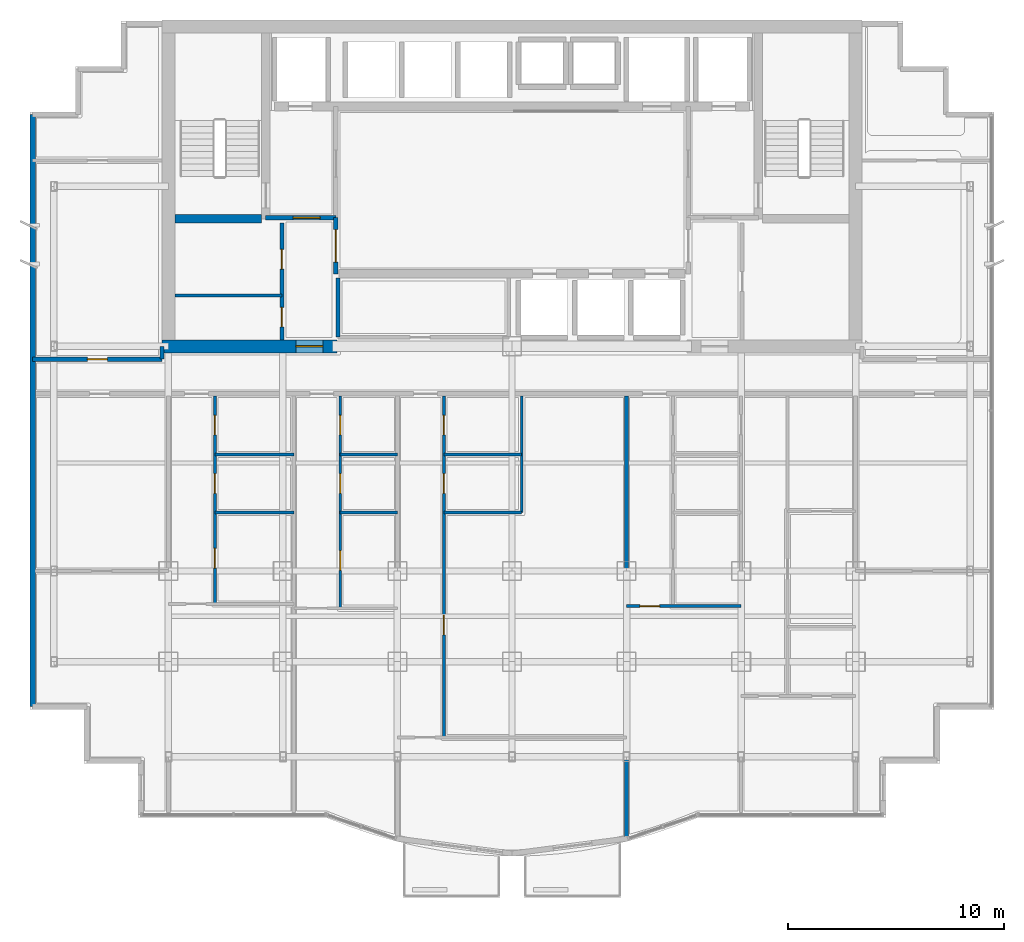
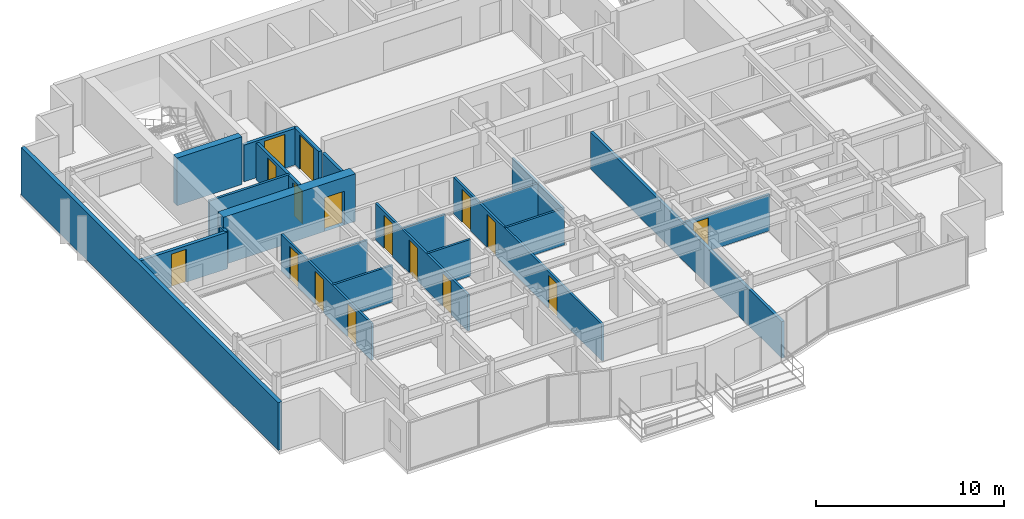
# One storey, part 8 of 13: 22 walls, 16 doors, 16 openings.
"""IFC4 building model written with IfcOpenShell, lengths in metres."""

from ifc_helpers import new_model, si_unit, direction, frame, frame_2d, origin, place, context, subcontext, project, spatial, rectangle, extrude, material, layer, layer_set, type_object, element, fill, save


model = new_model("IFC4")

# Units and contexts
model_context = context("Model", 3, precision=1e-05, world=origin(), true_north=direction((0.0, 1.0)))
body_context = subcontext(model_context, "Body", "Model", "MODEL_VIEW")
ifc_project = project(units=[si_unit("LENGTHUNIT", "METRE"), si_unit("AREAUNIT", "SQUARE_METRE"), si_unit("VOLUMEUNIT", "CUBIC_METRE"), si_unit("PLANEANGLEUNIT", "RADIAN"), si_unit("MASSUNIT", "GRAM", prefix="KILO")], contexts=[model_context])

# Site, building, storey
site_placement = place(None, origin())
site = spatial("IfcSite", under=ifc_project, at=site_placement, CompositionType="ELEMENT")
building_placement = place(site_placement, origin())
building = spatial("IfcBuilding", under=site, at=building_placement, Name="Qianlan Lanfeng Residences", CompositionType="ELEMENT")
storey_placement = place(building_placement, frame((0.0, 0.0, 142.5)))
storey = spatial("IfcBuildingStorey", under=building, at=storey_placement, Name="L38", CompositionType="ELEMENT", Elevation=142.5)

# Wall
ifc_material_1 = material(Name="Concrete C56", Category="concrete")
ifc_layer_1 = layer(ifc_material_1, 0.39990234375)
ifc_layer_set_1 = layer_set([ifc_layer_1], Name="Concrete C56")
wall_type_1 = type_object("IfcWallType", Name="CW-RC-400", PredefinedType="SHEAR", material=ifc_layer_set_1)
wall_1_placement = place(storey_placement, frame((10.89990234375, 31.10009765625, 0.0), z_axis=(0.0, 0.0, 1.0), x_axis=(1.0, 0.0, 0.0)))
element("IfcWall", 1, at=wall_1_placement, inside=storey, type_object=wall_type_1, Name="L38 Core Shear Wall ST1S", PredefinedType="SHEAR", context=body_context, shape_type="SweptSolid", body=[
    extrude(rectangle(XDim=4.0, YDim=0.39990234375, at=frame_2d((2.0, 0.0))), origin(), (0.0, 0.0, 1.0), 3.10009765625),
])

# Wall, opening, door
ifc_layer_2 = layer(ifc_material_1, 0.60009765625)
ifc_layer_set_2 = layer_set([ifc_layer_2], Name="Concrete C56")
wall_type_2 = type_object("IfcWallType", Name="CW-RC-600", PredefinedType="SHEAR", material=ifc_layer_set_2)
wall_2_placement = place(storey_placement, frame((10.300048828125, 25.199951171875, 0.0), z_axis=(0.0, 0.0, 1.0), x_axis=(1.0, 0.0, 0.0)))
wall_2 = element("IfcWall", 2, at=wall_2_placement, inside=storey, type_object=wall_type_2, Name="L38 Core Shear Wall SW", PredefinedType="SHEAR", context=body_context, shape_type="SweptSolid", body=[
    extrude(rectangle(XDim=8.099853515625, YDim=0.60009765625, at=frame_2d((4.0498046875, 0.0))), origin(), (0.0, 0.0, 1.0), 3.10009765625),
])
opening_1_placement = place(wall_2_placement, frame((6.199951171875, 0.0, 0.0)))
opening_1 = element("IfcOpeningElement", 3, at=opening_1_placement, cuts=wall_2, Name="Opening L38-D01", PredefinedType="OPENING", context=body_context, shape_type="SweptSolid", body=[
    extrude(rectangle(XDim=1.25, YDim=2.199951171875, at=frame_2d((0.625, 1.10009765625))), frame((0.0, 0.31005859375, 0.0), z_axis=(0.0, -1.0, 0.0), x_axis=(1.0, 0.0, 0.0)), (0.0, 0.0, 1.0), 0.6201171875),
])
ifc_material_2 = material(Name="Painted Galvanised Steel Fire Door", Category="steel")
door_type_1 = type_object("IfcDoorType", Name="DT-FFL", OperationType="NOTDEFINED", PredefinedType="DOOR", material=ifc_material_2)
door_1_placement = place(opening_1_placement, origin())
door_1 = element("IfcDoor", 4, at=door_1_placement, inside=storey, type_object=door_type_1, Name="L38 West Core Lobby Smoke Door L38-D01 (DT-FFL)", OperationType="SINGLE_SWING_RIGHT", OverallHeight=2.199951171875, OverallWidth=1.25, PredefinedType="DOOR", context=body_context, shape_type="SweptSolid", body=[
    extrude(rectangle(XDim=1.25, YDim=2.199951171875, at=frame_2d((0.625, 1.10009765625))), frame((0.0, 0.02490234375, 0.0), z_axis=(0.0, -1.0, 0.0), x_axis=(1.0, 0.0, 0.0)), (0.0, 0.0, 1.0), 0.050048828125),
])
fill(opening_1, door_1)

# Wall
ifc_material_3 = material(Name="Concrete C42", Category="concrete")
ifc_layer_3 = layer(ifc_material_3, 0.239990234375)
ifc_layer_set_3 = layer_set([ifc_layer_3], Name="Concrete C42")
wall_type_3 = type_object("IfcWallType", Name="EW-240", PredefinedType="SOLIDWALL", material=ifc_layer_set_3)
wall_3_placement = place(storey_placement, frame((4.320068359375, 35.929931640625, 0.0), z_axis=(0.0, 0.0, 1.0), x_axis=(0.0, -1.0, 0.0)))
element("IfcWall", 5, at=wall_3_placement, inside=storey, type_object=wall_type_3, Name="L38 Exterior Facade Spandrel Wall 21", PredefinedType="SOLIDWALL", context=body_context, shape_type="SweptSolid", body=[
    extrude(rectangle(XDim=27.409912109375, YDim=0.239990234375, at=frame_2d((13.705078125, 0.0))), origin(), (0.0, 0.0, 1.0), 3.10009765625),
])

# Wall, openings, doors
ifc_material_4 = material(Name="Moisture-Resistant Gypsum Partition 135 mm")
ifc_layer_4 = layer(ifc_material_4, 0.135009765625)
ifc_layer_set_4 = layer_set([ifc_layer_4], Name="Moisture-Resistant Gypsum Partition 135 mm")
wall_type_4 = type_object("IfcWallType", Name="PW-135", PredefinedType="PARTITIONING", material=ifc_layer_set_4)
wall_4_placement = place(storey_placement, frame((12.75, 13.27490234375, 0.0), z_axis=(0.0, 0.0, 1.0), x_axis=(0.0, 1.0, 0.0)))
wall_4 = element("IfcWall", 6, at=wall_4_placement, inside=storey, type_object=wall_type_4, Name="L38 U01 Entry Hall Spine", PredefinedType="PARTITIONING", context=body_context, shape_type="SweptSolid", body=[
    extrude(rectangle(XDim=9.625, YDim=0.135009765625, at=frame_2d((4.8125, 0.0))), origin(), (0.0, 0.0, 1.0), 2.3798828125),
])
opening_2_placement = place(wall_4_placement, frame((1.653076171875, 0.0, 0.0)))
opening_2 = element("IfcOpeningElement", 7, at=opening_2_placement, cuts=wall_4, Name="Opening L38-D17", PredefinedType="OPENING", context=body_context, shape_type="SweptSolid", body=[
    extrude(rectangle(XDim=0.919921875, YDim=2.14990234375, at=frame_2d((0.4599609375, 1.074951171875))), frame((0.0, 0.07763671875, 0.0), z_axis=(0.0, -1.0, 0.0), x_axis=(1.0, 0.0, 0.0)), (0.0, 0.0, 1.0), 0.155029296875),
])
opening_3_placement = place(wall_4_placement, frame((5.114990234375, 0.0, 0.0)))
opening_3 = element("IfcOpeningElement", 8, at=opening_3_placement, cuts=wall_4, Name="Opening L38-D18", PredefinedType="OPENING", context=body_context, shape_type="SweptSolid", body=[
    extrude(rectangle(XDim=0.919921875, YDim=2.14990234375, at=frame_2d((0.4599609375, 1.074951171875))), frame((0.0, 0.07763671875, 0.0), z_axis=(0.0, -1.0, 0.0), x_axis=(1.0, 0.0, 0.0)), (0.0, 0.0, 1.0), 0.155029296875),
])
opening_4_placement = place(wall_4_placement, frame((7.824951171875, 0.0, 0.0)))
opening_4 = element("IfcOpeningElement", 9, at=opening_4_placement, cuts=wall_4, Name="Opening L38-D19", PredefinedType="OPENING", context=body_context, shape_type="SweptSolid", body=[
    extrude(rectangle(XDim=0.89990234375, YDim=2.14990234375, at=frame_2d((0.449951171875, 1.074951171875))), frame((0.0, 0.07763671875, 0.0), z_axis=(0.0, -1.0, 0.0), x_axis=(1.0, 0.0, 0.0)), (0.0, 0.0, 1.0), 0.155029296875),
])
ifc_material_5 = material(Name="Glazed Timber Kitchen/Study Door", Category="wood")
door_type_2 = type_object("IfcDoorType", Name="DT-INT", OperationType="NOTDEFINED", PredefinedType="DOOR", material=ifc_material_5)
door_2_placement = place(opening_2_placement, origin())
door_2 = element("IfcDoor", 10, at=door_2_placement, inside=storey, type_object=door_type_2, Name="L38 U01 Study Door L38-D17 (DT-INT)", OperationType="SINGLE_SWING_RIGHT", OverallHeight=2.14990234375, OverallWidth=0.919921875, PredefinedType="DOOR", context=body_context, shape_type="SweptSolid", body=[
    extrude(rectangle(XDim=0.919921875, YDim=2.14990234375, at=frame_2d((0.4599609375, 1.074951171875))), frame((0.0, 0.02490234375, 0.0), z_axis=(0.0, -1.0, 0.0), x_axis=(1.0, 0.0, 0.0)), (0.0, 0.0, 1.0), 0.050048828125),
])
fill(opening_2, door_2)
door_3_placement = place(opening_3_placement, origin())
door_3 = element("IfcDoor", 11, at=door_3_placement, inside=storey, type_object=door_type_2, Name="L38 U01 Kitchen Door L38-D18 (DT-INT)", OperationType="SINGLE_SWING_LEFT", OverallHeight=2.14990234375, OverallWidth=0.919921875, PredefinedType="DOOR", context=body_context, shape_type="SweptSolid", body=[
    extrude(rectangle(XDim=0.919921875, YDim=2.14990234375, at=frame_2d((0.4599609375, 1.074951171875))), frame((0.0, 0.02490234375, 0.0), z_axis=(0.0, -1.0, 0.0), x_axis=(1.0, 0.0, 0.0)), (0.0, 0.0, 1.0), 0.050048828125),
])
fill(opening_3, door_3)
ifc_material_6 = material(Name="Moisture-Resistant Timber Leaf", Category="wood")
door_type_3 = type_object("IfcDoorType", Name="DT-WC", OperationType="NOTDEFINED", PredefinedType="DOOR", material=ifc_material_6)
door_4_placement = place(opening_4_placement, origin())
door_4 = element("IfcDoor", 12, at=door_4_placement, inside=storey, type_object=door_type_3, Name="L38 U01 Bathroom Door L38-D19 (DT-WC)", OperationType="SINGLE_SWING_RIGHT", OverallHeight=2.14990234375, OverallWidth=0.89990234375, PredefinedType="DOOR", context=body_context, shape_type="SweptSolid", body=[
    extrude(rectangle(XDim=0.89990234375, YDim=2.14990234375, at=frame_2d((0.449951171875, 1.074951171875))), frame((0.0, 0.02490234375, 0.0), z_axis=(0.0, -1.0, 0.0), x_axis=(1.0, 0.0, 0.0)), (0.0, 0.0, 1.0), 0.050048828125),
])
fill(opening_4, door_4)

# Walls
for number, where, z_axis, x_axis, name in (
    (13, (12.75, 17.5, 0.0), (0.0, 0.0, 1.0), (1.0, 0.0, 0.0), "L38 U01 Kitchen South Wall"),
    (14, (12.75, 20.199951171875, 0.0), (0.0, 0.0, 1.0), (1.0, 0.0, 0.0), "L38 U01 Bathroom South Wall"),
):
    element("IfcWall", number, at=place(storey_placement, frame(where, z_axis=z_axis, x_axis=x_axis)), inside=storey, type_object=wall_type_4, Name=name, PredefinedType="PARTITIONING", context=body_context, shape_type="SweptSolid", body=[
        extrude(rectangle(XDim=3.64990234375, YDim=0.135009765625, at=frame_2d((1.824951171875, 0.0))), origin(), (0.0, 0.0, 1.0), 2.3798828125),
    ])

# Wall, openings, doors
wall_5_placement = place(storey_placement, frame((18.550048828125, 13.075927734375, 0.0), z_axis=(0.0, 0.0, 1.0), x_axis=(0.0, 1.0, 0.0)))
wall_5 = element("IfcWall", 15, at=wall_5_placement, inside=storey, type_object=wall_type_4, Name="L38 U02 Entry Hall Spine", PredefinedType="PARTITIONING", context=body_context, shape_type="SweptSolid", body=[
    extrude(rectangle(XDim=9.823974609375, YDim=0.135009765625, at=frame_2d((4.912109375, 0.0))), origin(), (0.0, 0.0, 1.0), 2.3798828125),
])
opening_5_placement = place(wall_5_placement, frame((1.751953125, 0.0, 0.0)))
opening_5 = element("IfcOpeningElement", 16, at=opening_5_placement, cuts=wall_5, Name="Opening L38-D22", PredefinedType="OPENING", context=body_context, shape_type="SweptSolid", body=[
    extrude(rectangle(XDim=0.919921875, YDim=2.14990234375, at=frame_2d((0.4599609375, 1.074951171875))), frame((0.0, 0.07763671875, 0.0), z_axis=(0.0, -1.0, 0.0), x_axis=(1.0, 0.0, 0.0)), (0.0, 0.0, 1.0), 0.155029296875),
])
opening_6_placement = place(wall_5_placement, frame((5.31396484375, 0.0, 0.0)))
opening_6 = element("IfcOpeningElement", 17, at=opening_6_placement, cuts=wall_5, Name="Opening L38-D23", PredefinedType="OPENING", context=body_context, shape_type="SweptSolid", body=[
    extrude(rectangle(XDim=0.919921875, YDim=2.14990234375, at=frame_2d((0.4599609375, 1.074951171875))), frame((0.0, 0.07763671875, 0.0), z_axis=(0.0, -1.0, 0.0), x_axis=(1.0, 0.0, 0.0)), (0.0, 0.0, 1.0), 0.155029296875),
])
opening_7_placement = place(wall_5_placement, frame((8.02392578125, 0.0, 0.0)))
opening_7 = element("IfcOpeningElement", 18, at=opening_7_placement, cuts=wall_5, Name="Opening L38-D24", PredefinedType="OPENING", context=body_context, shape_type="SweptSolid", body=[
    extrude(rectangle(XDim=0.89990234375, YDim=2.14990234375, at=frame_2d((0.449951171875, 1.074951171875))), frame((0.0, 0.07763671875, 0.0), z_axis=(0.0, -1.0, 0.0), x_axis=(1.0, 0.0, 0.0)), (0.0, 0.0, 1.0), 0.155029296875),
])
door_5_placement = place(opening_5_placement, origin())
door_5 = element("IfcDoor", 19, at=door_5_placement, inside=storey, type_object=door_type_2, Name="L38 U02 Study Door L38-D22 (DT-INT)", OperationType="SINGLE_SWING_LEFT", OverallHeight=2.14990234375, OverallWidth=0.919921875, PredefinedType="DOOR", context=body_context, shape_type="SweptSolid", body=[
    extrude(rectangle(XDim=0.919921875, YDim=2.14990234375, at=frame_2d((0.4599609375, 1.074951171875))), frame((0.0, 0.02490234375, 0.0), z_axis=(0.0, -1.0, 0.0), x_axis=(1.0, 0.0, 0.0)), (0.0, 0.0, 1.0), 0.050048828125),
])
fill(opening_5, door_5)
door_6_placement = place(opening_6_placement, origin())
door_6 = element("IfcDoor", 20, at=door_6_placement, inside=storey, type_object=door_type_2, Name="L38 U02 Kitchen Door L38-D23 (DT-INT)", OperationType="SINGLE_SWING_RIGHT", OverallHeight=2.14990234375, OverallWidth=0.919921875, PredefinedType="DOOR", context=body_context, shape_type="SweptSolid", body=[
    extrude(rectangle(XDim=0.919921875, YDim=2.14990234375, at=frame_2d((0.4599609375, 1.074951171875))), frame((0.0, 0.02490234375, 0.0), z_axis=(0.0, -1.0, 0.0), x_axis=(1.0, 0.0, 0.0)), (0.0, 0.0, 1.0), 0.050048828125),
])
fill(opening_6, door_6)
door_7_placement = place(opening_7_placement, origin())
door_7 = element("IfcDoor", 21, at=door_7_placement, inside=storey, type_object=door_type_3, Name="L38 U02 Bathroom Door L38-D24 (DT-WC)", OperationType="SINGLE_SWING_LEFT", OverallHeight=2.14990234375, OverallWidth=0.89990234375, PredefinedType="DOOR", context=body_context, shape_type="SweptSolid", body=[
    extrude(rectangle(XDim=0.89990234375, YDim=2.14990234375, at=frame_2d((0.449951171875, 1.074951171875))), frame((0.0, 0.02490234375, 0.0), z_axis=(0.0, -1.0, 0.0), x_axis=(1.0, 0.0, 0.0)), (0.0, 0.0, 1.0), 0.050048828125),
])
fill(opening_7, door_7)

# Walls
for number, where, z_axis, x_axis, name in (
    (22, (18.550048828125, 17.5, 0.0), (0.0, 0.0, 1.0), (1.0, 0.0, 0.0), "L38 U02 Kitchen South Wall"),
    (23, (18.550048828125, 20.199951171875, 0.0), (0.0, 0.0, 1.0), (1.0, 0.0, 0.0), "L38 U02 Bathroom South Wall"),
):
    element("IfcWall", number, at=place(storey_placement, frame(where, z_axis=z_axis, x_axis=x_axis)), inside=storey, type_object=wall_type_4, Name=name, PredefinedType="PARTITIONING", context=body_context, shape_type="SweptSolid", body=[
        extrude(rectangle(XDim=2.64990234375, YDim=0.135009765625, at=frame_2d((1.324951171875, 0.0))), origin(), (0.0, 0.0, 1.0), 2.3798828125),
    ])

# Wall, openings, doors
wall_6_placement = place(storey_placement, frame((23.35009765625, 7.10302734375, 0.0), z_axis=(0.0, 0.0, 1.0), x_axis=(0.0, 1.0, 0.0)))
wall_6 = element("IfcWall", 24, at=wall_6_placement, inside=storey, type_object=wall_type_4, Name="L38 U03 Entry Hall Spine", PredefinedType="PARTITIONING", context=body_context, shape_type="SweptSolid", body=[
    extrude(rectangle(XDim=15.796875, YDim=0.135009765625, at=frame_2d((7.8984375, 0.0))), origin(), (0.0, 0.0, 1.0), 2.3798828125),
])
opening_8_placement = place(wall_6_placement, frame((4.739013671875, 0.0, 0.0)))
opening_8 = element("IfcOpeningElement", 25, at=opening_8_placement, cuts=wall_6, Name="Opening L38-D27", PredefinedType="OPENING", context=body_context, shape_type="SweptSolid", body=[
    extrude(rectangle(XDim=0.919921875, YDim=2.14990234375, at=frame_2d((0.4599609375, 1.074951171875))), frame((0.0, 0.07763671875, 0.0), z_axis=(0.0, -1.0, 0.0), x_axis=(1.0, 0.0, 0.0)), (0.0, 0.0, 1.0), 0.155029296875),
])
opening_9_placement = place(wall_6_placement, frame((11.287109375, 0.0, 0.0)))
opening_9 = element("IfcOpeningElement", 26, at=opening_9_placement, cuts=wall_6, Name="Opening L38-D28", PredefinedType="OPENING", context=body_context, shape_type="SweptSolid", body=[
    extrude(rectangle(XDim=0.919921875, YDim=2.14990234375, at=frame_2d((0.4599609375, 1.074951171875))), frame((0.0, 0.07763671875, 0.0), z_axis=(0.0, -1.0, 0.0), x_axis=(1.0, 0.0, 0.0)), (0.0, 0.0, 1.0), 0.155029296875),
])
opening_10_placement = place(wall_6_placement, frame((13.9970703125, 0.0, 0.0)))
opening_10 = element("IfcOpeningElement", 27, at=opening_10_placement, cuts=wall_6, Name="Opening L38-D29", PredefinedType="OPENING", context=body_context, shape_type="SweptSolid", body=[
    extrude(rectangle(XDim=0.89990234375, YDim=2.14990234375, at=frame_2d((0.449951171875, 1.074951171875))), frame((0.0, 0.07763671875, 0.0), z_axis=(0.0, -1.0, 0.0), x_axis=(1.0, 0.0, 0.0)), (0.0, 0.0, 1.0), 0.155029296875),
])
door_8_placement = place(opening_8_placement, origin())
door_8 = element("IfcDoor", 28, at=door_8_placement, inside=storey, type_object=door_type_2, Name="L38 U03 Study Door L38-D27 (DT-INT)", OperationType="SINGLE_SWING_RIGHT", OverallHeight=2.14990234375, OverallWidth=0.919921875, PredefinedType="DOOR", context=body_context, shape_type="SweptSolid", body=[
    extrude(rectangle(XDim=0.919921875, YDim=2.14990234375, at=frame_2d((0.4599609375, 1.074951171875))), frame((0.0, 0.02490234375, 0.0), z_axis=(0.0, -1.0, 0.0), x_axis=(1.0, 0.0, 0.0)), (0.0, 0.0, 1.0), 0.050048828125),
])
fill(opening_8, door_8)
door_9_placement = place(opening_9_placement, origin())
door_9 = element("IfcDoor", 29, at=door_9_placement, inside=storey, type_object=door_type_2, Name="L38 U03 Kitchen Door L38-D28 (DT-INT)", OperationType="SINGLE_SWING_LEFT", OverallHeight=2.14990234375, OverallWidth=0.919921875, PredefinedType="DOOR", context=body_context, shape_type="SweptSolid", body=[
    extrude(rectangle(XDim=0.919921875, YDim=2.14990234375, at=frame_2d((0.4599609375, 1.074951171875))), frame((0.0, 0.02490234375, 0.0), z_axis=(0.0, -1.0, 0.0), x_axis=(1.0, 0.0, 0.0)), (0.0, 0.0, 1.0), 0.050048828125),
])
fill(opening_9, door_9)
door_10_placement = place(opening_10_placement, origin())
door_10 = element("IfcDoor", 30, at=door_10_placement, inside=storey, type_object=door_type_3, Name="L38 U03 Bathroom Door L38-D29 (DT-WC)", OperationType="SINGLE_SWING_RIGHT", OverallHeight=2.14990234375, OverallWidth=0.89990234375, PredefinedType="DOOR", context=body_context, shape_type="SweptSolid", body=[
    extrude(rectangle(XDim=0.89990234375, YDim=2.14990234375, at=frame_2d((0.449951171875, 1.074951171875))), frame((0.0, 0.02490234375, 0.0), z_axis=(0.0, -1.0, 0.0), x_axis=(1.0, 0.0, 0.0)), (0.0, 0.0, 1.0), 0.050048828125),
])
fill(opening_10, door_10)

# Walls
wall_7_placement = place(storey_placement, frame((23.35009765625, 17.5, 0.0), z_axis=(0.0, 0.0, 1.0), x_axis=(1.0, 0.0, 0.0)))
element("IfcWall", 31, at=wall_7_placement, inside=storey, type_object=wall_type_4, Name="L38 U03 Kitchen South Wall", PredefinedType="PARTITIONING", context=body_context, shape_type="SweptSolid", body=[
    extrude(rectangle(XDim=3.599853515625, YDim=0.135009765625, at=frame_2d((1.7998046875, 0.0))), origin(), (0.0, 0.0, 1.0), 2.3798828125),
])
wall_8_placement = place(storey_placement, frame((26.949951171875, 17.5, 0.0), z_axis=(0.0, 0.0, 1.0), x_axis=(0.0, 1.0, 0.0)))
element("IfcWall", 32, at=wall_8_placement, inside=storey, type_object=wall_type_4, Name="L38 U03 Dining East Wall", PredefinedType="PARTITIONING", context=body_context, shape_type="SweptSolid", body=[
    extrude(rectangle(XDim=5.39990234375, YDim=0.135009765625, at=frame_2d((2.699951171875, 0.0))), origin(), (0.0, 0.0, 1.0), 2.3798828125),
])
wall_9_placement = place(storey_placement, frame((23.35009765625, 20.199951171875, 0.0), z_axis=(0.0, 0.0, 1.0), x_axis=(1.0, 0.0, 0.0)))
element("IfcWall", 33, at=wall_9_placement, inside=storey, type_object=wall_type_4, Name="L38 U03 Bathroom South Wall", PredefinedType="PARTITIONING", context=body_context, shape_type="SweptSolid", body=[
    extrude(rectangle(XDim=3.599853515625, YDim=0.135009765625, at=frame_2d((1.7998046875, 0.0))), origin(), (0.0, 0.0, 1.0), 2.3798828125),
])

# Wall, opening, door
wall_10_placement = place(storey_placement, frame((31.800048828125, 13.174072265625, 0.0), z_axis=(0.0, 0.0, 1.0), x_axis=(1.0, 0.0, 0.0)))
wall_10 = element("IfcWall", 34, at=wall_10_placement, inside=storey, type_object=wall_type_4, Name="L38 U04 Living Divider", PredefinedType="PARTITIONING", context=body_context, shape_type="SweptSolid", body=[
    extrude(rectangle(XDim=5.300048828125, YDim=0.135009765625, at=frame_2d((2.64990234375, 0.0))), origin(), (0.0, 0.0, 1.0), 2.3798828125),
])
opening_11_placement = place(wall_10_placement, frame((0.614990234375, 0.0, 0.0)))
opening_11 = element("IfcOpeningElement", 35, at=opening_11_placement, cuts=wall_10, Name="Opening L38-D32", PredefinedType="OPENING", context=body_context, shape_type="SweptSolid", body=[
    extrude(rectangle(XDim=0.919921875, YDim=2.14990234375, at=frame_2d((0.4599609375, 1.074951171875))), frame((0.0, 0.07763671875, 0.0), z_axis=(0.0, -1.0, 0.0), x_axis=(1.0, 0.0, 0.0)), (0.0, 0.0, 1.0), 0.155029296875),
])
door_11_placement = place(opening_11_placement, frame((0.919921875, 0.0, 0.0), z_axis=(0.0, 0.0, 1.0), x_axis=(-1.0, 0.0, 0.0)))
door_11 = element("IfcDoor", 36, at=door_11_placement, inside=storey, type_object=door_type_2, Name="L38 U04 Living Passage Door L38-D32 (DT-INT)", OperationType="SINGLE_SWING_RIGHT", OverallHeight=2.14990234375, OverallWidth=0.919921875, PredefinedType="DOOR", context=body_context, shape_type="SweptSolid", body=[
    extrude(rectangle(XDim=0.919921875, YDim=2.14990234375, at=frame_2d((0.4599609375, 1.074951171875))), frame((0.0, 0.02490234375, 0.0), z_axis=(0.0, -1.0, 0.0), x_axis=(1.0, 0.0, 0.0)), (0.0, 0.0, 1.0), 0.050048828125),
])
fill(opening_11, door_11)

# Wall
ifc_material_7 = material(Name="Acoustic Drywall Partition 150 mm")
ifc_layer_5 = layer(ifc_material_7, 0.14990234375)
ifc_layer_set_5 = layer_set([ifc_layer_5], Name="Acoustic Drywall Partition 150 mm")
wall_type_5 = type_object("IfcWallType", Name="PW-150", PredefinedType="PARTITIONING", material=ifc_layer_set_5)
wall_11_placement = place(storey_placement, frame((10.89990234375, 27.550048828125, 0.0), z_axis=(0.0, 0.0, 1.0), x_axis=(1.0, 0.0, 0.0)))
element("IfcWall", 37, at=wall_11_placement, inside=storey, type_object=wall_type_5, Name="L38 Core West Split", PredefinedType="PARTITIONING", context=body_context, shape_type="SweptSolid", body=[
    extrude(rectangle(XDim=4.9501953125, YDim=0.14990234375, at=frame_2d((2.47509765625, 0.0))), origin(), (0.0, 0.0, 1.0), 2.3798828125),
])

# Wall, openings, doors
ifc_material_8 = material(Name="Double-Layer Acoustic Gypsum Stud Wall 180 mm")
ifc_layer_6 = layer(ifc_material_8, 0.179931640625)
ifc_layer_set_6 = layer_set([ifc_layer_6], Name="Double-Layer Acoustic Gypsum Stud Wall 180 mm")
wall_type_6 = type_object("IfcWallType", Name="PW-180", PredefinedType="PARTITIONING", material=ifc_layer_set_6)
wall_12_placement = place(storey_placement, frame((15.85009765625, 25.5, 0.0), z_axis=(0.0, 0.0, 1.0), x_axis=(0.0, 1.0, 0.0)))
wall_12 = element("IfcWall", 38, at=wall_12_placement, inside=storey, type_object=wall_type_6, Name="L38 Core West Service Room Wall", PredefinedType="PARTITIONING", context=body_context, shape_type="SweptSolid", body=[
    extrude(rectangle(XDim=5.39990234375, YDim=0.179931640625, at=frame_2d((2.699951171875, 0.0))), origin(), (0.0, 0.0, 1.0), 2.3798828125),
])
opening_12_placement = place(wall_12_placement, frame((0.60009765625, 0.0, 0.0)))
opening_12 = element("IfcOpeningElement", 39, at=opening_12_placement, cuts=wall_12, Name="Opening L38-D09", PredefinedType="OPENING", context=body_context, shape_type="SweptSolid", body=[
    extrude(rectangle(XDim=0.89990234375, YDim=2.14990234375, at=frame_2d((0.449951171875, 1.074951171875))), frame((0.0, 0.10009765625, 0.0), z_axis=(0.0, -1.0, 0.0), x_axis=(1.0, 0.0, 0.0)), (0.0, 0.0, 1.0), 0.199951171875),
])
opening_13_placement = place(wall_12_placement, frame((3.264892578125, 0.0, 0.0)))
opening_13 = element("IfcOpeningElement", 40, at=opening_13_placement, cuts=wall_12, Name="Opening L38-D10", PredefinedType="OPENING", context=body_context, shape_type="SweptSolid", body=[
    extrude(rectangle(XDim=0.919921875, YDim=2.14990234375, at=frame_2d((0.4599609375, 1.074951171875))), frame((0.0, 0.10009765625, 0.0), z_axis=(0.0, -1.0, 0.0), x_axis=(1.0, 0.0, 0.0)), (0.0, 0.0, 1.0), 0.199951171875),
])
door_12_placement = place(opening_13_placement, origin())
door_12 = element("IfcDoor", 41, at=door_12_placement, inside=storey, type_object=door_type_2, Name="L38 Janitor Closet Door L38-D10 (DT-INT)", OperationType="SINGLE_SWING_LEFT", OverallHeight=2.14990234375, OverallWidth=0.919921875, PredefinedType="DOOR", context=body_context, shape_type="SweptSolid", body=[
    extrude(rectangle(XDim=0.919921875, YDim=2.14990234375, at=frame_2d((0.4599609375, 1.074951171875))), frame((0.0, 0.02490234375, 0.0), z_axis=(0.0, -1.0, 0.0), x_axis=(1.0, 0.0, 0.0)), (0.0, 0.0, 1.0), 0.050048828125),
])
fill(opening_13, door_12)
door_13_placement = place(opening_12_placement, frame((0.89990234375, 0.0, 0.0), z_axis=(0.0, 0.0, 1.0), x_axis=(-1.0, 0.0, 0.0)))
door_13 = element("IfcDoor", 42, at=door_13_placement, inside=storey, type_object=door_type_3, Name="L38 Core Staff WC Door L38-D09 (DT-WC)", OperationType="SINGLE_SWING_RIGHT", OverallHeight=2.14990234375, OverallWidth=0.89990234375, PredefinedType="DOOR", context=body_context, shape_type="SweptSolid", body=[
    extrude(rectangle(XDim=0.89990234375, YDim=2.14990234375, at=frame_2d((0.449951171875, 1.074951171875))), frame((0.0, 0.02490234375, 0.0), z_axis=(0.0, -1.0, 0.0), x_axis=(1.0, 0.0, 0.0)), (0.0, 0.0, 1.0), 0.050048828125),
])
fill(opening_12, door_13)

# Walls
wall_13_placement = place(storey_placement, frame((18.449951171875, 25.6201171875, 0.0), z_axis=(0.0, 0.0, 1.0), x_axis=(0.0, 1.0, 0.0)))
element("IfcWall", 43, at=wall_13_placement, inside=storey, type_object=wall_type_6, Name="L38 Reclaimed Low-Bank Room West Wall", PredefinedType="PARTITIONING", context=body_context, shape_type="SweptSolid", body=[
    extrude(rectangle(XDim=2.72998046875, YDim=0.179931640625, at=frame_2d((1.364990234375, 0.0))), origin(), (0.0, 0.0, 1.0), 2.3798828125),
])
wall_14_placement = place(storey_placement, frame((31.800048828125, 2.509033203125, 0.0), z_axis=(0.0, 0.0, 1.0), x_axis=(0.0, 1.0, 0.0)))
element("IfcWall", 44, at=wall_14_placement, inside=storey, type_object=wall_type_6, Name="L38 Inter-Tenancy Party Wall 4", PredefinedType="PARTITIONING", context=body_context, shape_type="SweptSolid", body=[
    extrude(rectangle(XDim=20.390869140625, YDim=0.179931640625, at=frame_2d((10.1953125, 0.0))), origin(), (0.0, 0.0, 1.0), 2.3798828125),
])

# Wall, opening, door
ifc_material_9 = material(Name="Autoclaved Aerated Concrete Blockwork 200 mm", Category="masonry")
ifc_layer_7 = layer(ifc_material_9, 0.199951171875)
ifc_layer_set_7 = layer_set([ifc_layer_7], Name="Autoclaved Aerated Concrete Blockwork 200 mm")
wall_type_7 = type_object("IfcWallType", Name="PW-200", PredefinedType="PARTITIONING", material=ifc_layer_set_7)
wall_15_placement = place(storey_placement, frame((15.10009765625, 31.14990234375, 0.0), z_axis=(0.0, 0.0, 1.0), x_axis=(1.0, 0.0, 0.0)))
wall_15 = element("IfcWall", 45, at=wall_15_placement, inside=storey, type_object=wall_type_7, Name="L38 Firefighting Lobby 1 South Wall", PredefinedType="PARTITIONING", context=body_context, shape_type="SweptSolid", body=[
    extrude(rectangle(XDim=3.25, YDim=0.199951171875, at=frame_2d((1.625, 0.0))), origin(), (0.0, 0.0, 1.0), 2.3798828125),
])
opening_14_placement = place(wall_15_placement, frame((1.27490234375, 0.0, 0.0)))
opening_14 = element("IfcOpeningElement", 46, at=opening_14_placement, cuts=wall_15, Name="Opening L38-D03", PredefinedType="OPENING", context=body_context, shape_type="SweptSolid", body=[
    extrude(rectangle(XDim=1.25, YDim=2.199951171875, at=frame_2d((0.625, 1.10009765625))), frame((0.0, 0.10986328125, 0.0), z_axis=(0.0, -1.0, 0.0), x_axis=(1.0, 0.0, 0.0)), (0.0, 0.0, 1.0), 0.219970703125),
])
door_14_placement = place(opening_14_placement, origin())
door_14 = element("IfcDoor", 47, at=door_14_placement, inside=storey, type_object=door_type_1, Name="L38 Firefighting Lobby 1 Entry Door L38-D03 (DT-FFL)", OperationType="SINGLE_SWING_LEFT", OverallHeight=2.199951171875, OverallWidth=1.25, PredefinedType="DOOR", context=body_context, shape_type="SweptSolid", body=[
    extrude(rectangle(XDim=1.25, YDim=2.199951171875, at=frame_2d((0.625, 1.10009765625))), frame((0.0, 0.02490234375, 0.0), z_axis=(0.0, -1.0, 0.0), x_axis=(1.0, 0.0, 0.0)), (0.0, 0.0, 1.0), 0.050048828125),
])
fill(opening_14, door_14)

wall_16_placement = place(storey_placement, frame((18.35009765625, 28.550048828125, 0.0), z_axis=(0.0, 0.0, 1.0), x_axis=(0.0, 1.0, 0.0)))
wall_16 = element("IfcWall", 48, at=wall_16_placement, inside=storey, type_object=wall_type_7, Name="L38 Lift Lobby West Connector Wall", PredefinedType="PARTITIONING", context=body_context, shape_type="SweptSolid", body=[
    extrude(rectangle(XDim=2.599853515625, YDim=0.199951171875, at=frame_2d((1.2998046875, 0.0))), origin(), (0.0, 0.0, 1.0), 2.3798828125),
])
opening_15_placement = place(wall_16_placement, frame((0.550048828125, 0.0, 0.0)))
opening_15 = element("IfcOpeningElement", 49, at=opening_15_placement, cuts=wall_16, Name="Opening L38-D12", PredefinedType="OPENING", context=body_context, shape_type="SweptSolid", body=[
    extrude(rectangle(XDim=1.5, YDim=2.25, at=frame_2d((0.75, 1.125))), frame((0.0, 0.10986328125, 0.0), z_axis=(0.0, -1.0, 0.0), x_axis=(1.0, 0.0, 0.0)), (0.0, 0.0, 1.0), 0.219970703125),
])
ifc_material_10 = material(Name="Timber Veneer Acoustic Fire Door", Category="wood")
door_type_4 = type_object("IfcDoorType", Name="DT-COR1", OperationType="NOTDEFINED", PredefinedType="DOOR", material=ifc_material_10)
door_15_placement = place(opening_15_placement, origin())
door_15 = element("IfcDoor", 50, at=door_15_placement, inside=storey, type_object=door_type_4, Name="L38 Lift Lobby West Portal Door L38-D12 (DT-COR1)", OperationType="DOUBLE_DOOR_SINGLE_SWING", OverallHeight=2.25, OverallWidth=1.5, PredefinedType="DOOR", context=body_context, shape_type="SweptSolid", body=[
    extrude(rectangle(XDim=1.5, YDim=2.25, at=frame_2d((0.75, 1.125))), frame((0.0, 0.02490234375, 0.0), z_axis=(0.0, -1.0, 0.0), x_axis=(1.0, 0.0, 0.0)), (0.0, 0.0, 1.0), 0.050048828125),
])
fill(opening_15, door_15)

wall_17_placement = place(storey_placement, frame((4.320068359375, 24.60009765625, 0.0), z_axis=(0.0, 0.0, 1.0), x_axis=(1.0, 0.0, 0.0)))
wall_17 = element("IfcWall", 51, at=wall_17_placement, inside=storey, type_object=wall_type_7, Name="L38 Corridor NW Wall", PredefinedType="PARTITIONING", context=body_context, shape_type="SweptSolid", body=[
    extrude(rectangle(XDim=5.97998046875, YDim=0.199951171875, at=frame_2d((2.989990234375, 0.0))), origin(), (0.0, 0.0, 1.0), 2.3798828125),
])
opening_16_placement = place(wall_17_placement, frame((2.530029296875, 0.0, 0.0)))
opening_16 = element("IfcOpeningElement", 52, at=opening_16_placement, cuts=wall_17, Name="Opening L38-D45", PredefinedType="OPENING", context=body_context, shape_type="SweptSolid", body=[
    extrude(rectangle(XDim=0.919921875, YDim=2.14990234375, at=frame_2d((0.4599609375, 1.074951171875))), frame((0.0, 0.10986328125, 0.0), z_axis=(0.0, -1.0, 0.0), x_axis=(1.0, 0.0, 0.0)), (0.0, 0.0, 1.0), 0.219970703125),
])
door_16_placement = place(opening_16_placement, origin())
door_16 = element("IfcDoor", 53, at=door_16_placement, inside=storey, type_object=door_type_2, Name="L38 WW Amenity Salon Door L38-D45 (DT-INT)", OperationType="SINGLE_SWING_RIGHT", OverallHeight=2.14990234375, OverallWidth=0.919921875, PredefinedType="DOOR", context=body_context, shape_type="SweptSolid", body=[
    extrude(rectangle(XDim=0.919921875, YDim=2.14990234375, at=frame_2d((0.4599609375, 1.074951171875))), frame((0.0, 0.02490234375, 0.0), z_axis=(0.0, -1.0, 0.0), x_axis=(1.0, 0.0, 0.0)), (0.0, 0.0, 1.0), 0.050048828125),
])
fill(opening_16, door_16)

# Wall
wall_18_placement = place(storey_placement, frame((10.300048828125, 24.60009765625, 0.0), z_axis=(0.0, 0.0, 1.0), x_axis=(0.0, 1.0, 0.0)))
element("IfcWall", 54, at=wall_18_placement, inside=storey, type_object=wall_type_7, Name="L38 NW Wing Core Return Wall", PredefinedType="PARTITIONING", context=body_context, shape_type="SweptSolid", body=[
    extrude(rectangle(XDim=0.599853515625, YDim=0.199951171875, at=frame_2d((0.2998046875, 0.0))), origin(), (0.0, 0.0, 1.0), 2.3798828125),
])

save(model, "model.ifc")
